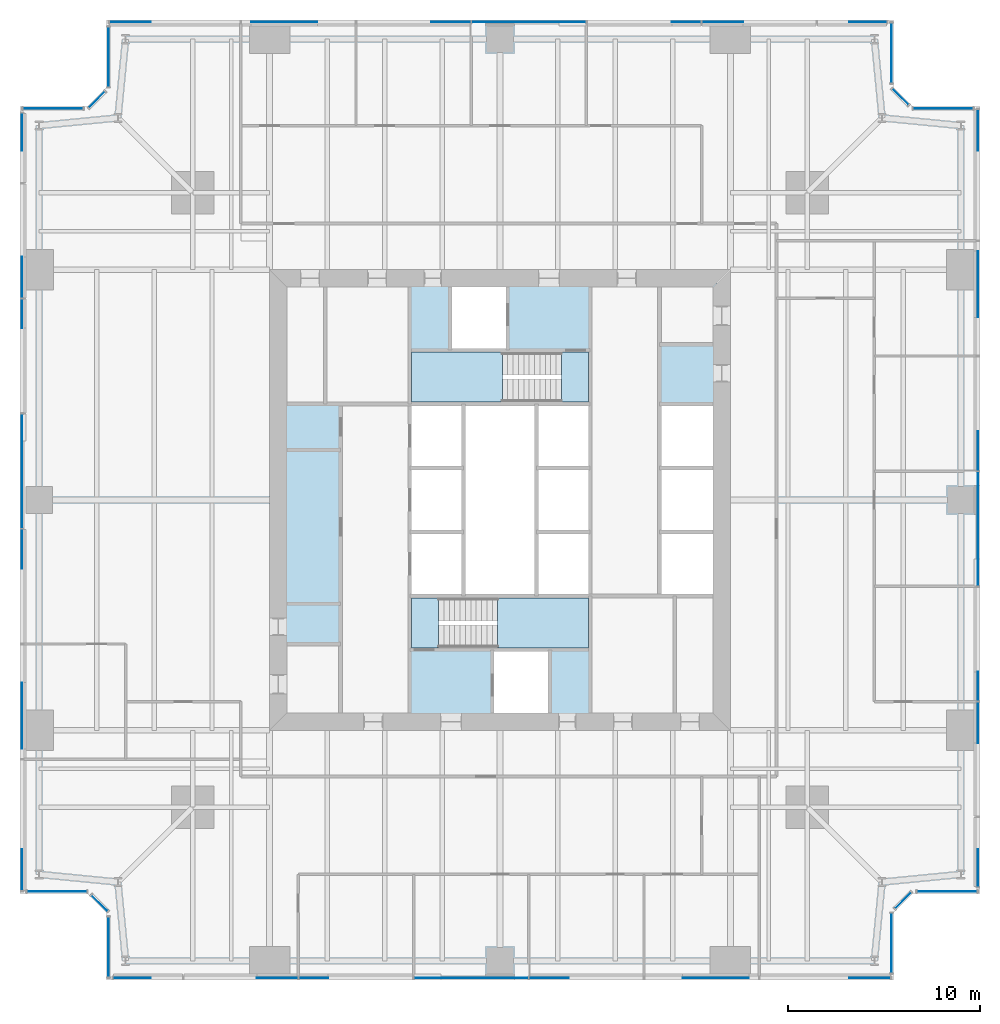
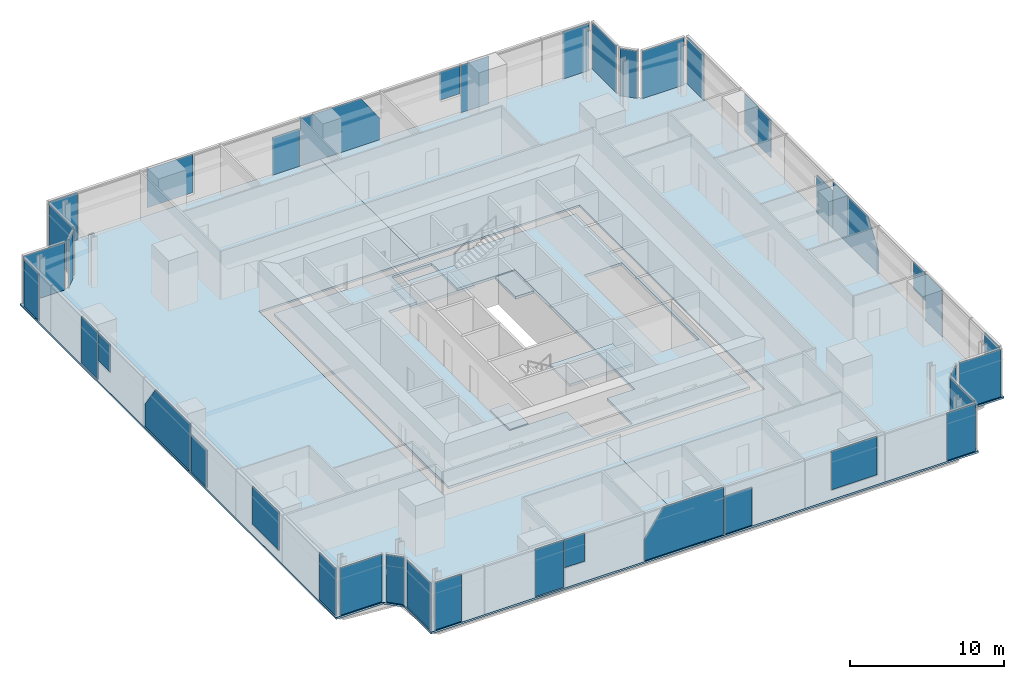
# One storey, part 8 of 13: 40 plates, 7 slabs, 18 elements without a shape of their own.
"""IFC4 building model written with IfcOpenShell, lengths in metres."""

from ifc_helpers import new_model, si_unit, direction, frame, origin, origin_2d, place, context, subcontext, project, spatial, polyline, rectangle, outline, extrude, material, layer, layer_set, type_object, element, aggregate, save


model = new_model("IFC4")

# Units and contexts
model_context = context("Model", 3, precision=1e-05, world=origin(), true_north=direction((0.0, 1.0)))
body_context = subcontext(model_context, "Body", "Model", "MODEL_VIEW")
ifc_project = project(units=[si_unit("LENGTHUNIT", "METRE"), si_unit("AREAUNIT", "SQUARE_METRE"), si_unit("VOLUMEUNIT", "CUBIC_METRE"), si_unit("PLANEANGLEUNIT", "RADIAN"), si_unit("MASSUNIT", "GRAM", prefix="KILO")], contexts=[model_context])

# Site, building, storey
site_placement = place(None, origin())
site = spatial("IfcSite", under=ifc_project, at=site_placement, CompositionType="ELEMENT")
building_placement = place(site_placement, origin())
building = spatial("IfcBuilding", under=site, at=building_placement, Name="Fenwick Lantern Interchange", CompositionType="ELEMENT")
storey_placement = place(building_placement, frame((0.0, 0.0, 102.39990234375)))
storey = spatial("IfcBuildingStorey", under=building, at=storey_placement, Name="L23", CompositionType="ELEMENT", Elevation=102.39990234375)

# Slabs
ifc_material_1 = material(Name="Concrete f'c 35 MPa", Category="concrete")
ifc_layer_1 = layer(ifc_material_1, 0.199951171875)
ifc_layer_set_1 = layer_set([ifc_layer_1], Name="CORE FLOOR SLAB 200")
slab_type_1 = type_object("IfcSlabType", Name="CORE FLOOR SLAB 200", PredefinedType="FLOOR", material=ifc_layer_set_1)
slab_1_placement = place(storey_placement, frame((0.0, 0.0, -0.199951171875)))
element("IfcSlab", 1, at=slab_1_placement, inside=storey, type_object=slab_type_1, Name="L23/SLAB/CORE", PredefinedType="FLOOR", context=body_context, shape_type="SweptSolid", body=[
    extrude(outline(polyline([(13.699951171875, 36.300048828125), (36.300048828125, 36.300048828125), (36.300048828125, 13.699951171875), (13.699951171875, 13.699951171875), (13.699951171875, 36.300048828125)]), holes=[polyline([(29.699951171875, 17.199951171875), (29.699951171875, 20.0), (29.699951171875, 23.333251953125), (29.699951171875, 26.666748046875), (29.699951171875, 30.0), (29.699951171875, 32.800048828125), (25.39990234375, 32.800048828125), (25.39990234375, 36.10009765625), (22.39990234375, 36.10009765625), (22.39990234375, 32.800048828125), (20.300048828125, 32.800048828125), (20.300048828125, 30.0), (20.300048828125, 26.666748046875), (20.300048828125, 23.333251953125), (20.300048828125, 20.0), (20.300048828125, 17.199951171875), (24.60009765625, 17.199951171875), (24.60009765625, 13.89990234375), (27.60009765625, 13.89990234375), (27.60009765625, 17.199951171875), (29.699951171875, 17.199951171875)]), polyline([(33.300048828125, 23.333251953125), (33.300048828125, 20.0), (36.10009765625, 20.0), (36.10009765625, 23.333251953125), (36.10009765625, 26.666748046875), (36.10009765625, 30.0), (33.300048828125, 30.0), (33.300048828125, 26.666748046875), (33.300048828125, 23.333251953125)])]), origin(), (0.0, 0.0, 1.0), 0.199951171875),
])
ifc_material_2 = material(Name="Concrete f'c 35 MPa", Category="concrete")
ifc_layer_2 = layer(ifc_material_2, 0.14990234375)
ifc_layer_set_2 = layer_set([ifc_layer_2], Name="Concrete f'c 35 MPa")
slab_type_2 = type_object("IfcSlabType", Name="FLOOR SLAB 150", PredefinedType="FLOOR", material=ifc_layer_set_2)
slab_2_placement = place(storey_placement, frame((0.0, 0.0, -0.14990234375)))
element("IfcSlab", 2, at=slab_2_placement, inside=storey, type_object=slab_type_2, Name="L23/SLAB/FW", PredefinedType="FLOOR", context=body_context, shape_type="SweptSolid", body=[
    extrude(outline(polyline([(4.5, 0.0), (4.5, 3.5), (3.5, 4.5), (0.0, 4.5), (0.0, 45.5), (3.5, 45.5), (4.5, 46.5), (4.5, 50.0), (25.0, 50.0), (25.0, 37.0), (13.0, 37.0), (13.0, 13.0), (25.0, 13.0), (25.0, 0.0), (4.5, 0.0)])), origin(), (0.0, 0.0, 1.0), 0.14990234375),
])
slab_3_placement = place(storey_placement, frame((0.0, 0.0, -0.14990234375)))
element("IfcSlab", 3, at=slab_3_placement, inside=storey, type_object=slab_type_2, Name="L23/SLAB/FE", PredefinedType="FLOOR", context=body_context, shape_type="SweptSolid", body=[
    extrude(outline(polyline([(45.5, 50.0), (45.5, 46.5), (46.5, 45.5), (50.0, 45.5), (50.0, 4.5), (46.5, 4.5), (45.5, 3.5), (45.5, 0.0), (25.0, 0.0), (25.0, 13.0), (37.0, 13.0), (37.0, 37.0), (25.0, 37.0), (25.0, 50.0), (45.5, 50.0)])), origin(), (0.0, 0.0, 1.0), 0.14990234375),
])

# Curtain wall, plates
ifc_material_3 = material(Name="Aluminium curtain wall frame", Category="aluminium")
curtain_wall_type = type_object("IfcCurtainWallType", Name="OFFICE CURTAIN WALL", PredefinedType="USERDEFINED", material=ifc_material_3)
curtain_wall_1_placement = place(storey_placement, origin())
curtain_wall_1 = element("IfcCurtainWall", 4, at=curtain_wall_1_placement, inside=storey, type_object=curtain_wall_type, Name="Office curtain wall 01", ObjectType="OFFICE CURTAIN WALL", PredefinedType="USERDEFINED")
ifc_material_4 = material(Name="Vision glass, clear low-iron double glazed", Category="glass")
ifc_layer_3 = layer(ifc_material_4, 0.031982421875)
ifc_layer_set_3 = layer_set([ifc_layer_3], Name="OFFICE CURTAIN WALL PANEL 32")
plate_type = type_object("IfcPlateType", Name="OFFICE CURTAIN WALL PANEL 32", PredefinedType="CURTAIN_PANEL", material=ifc_layer_set_3)
plate_1_placement = place(storey_placement, frame((4.60009765625, 0.10009765625, 0.0), z_axis=(0.0, 0.0, 1.0), x_axis=(1.0, 0.0, 0.0)))
plate_1 = element("IfcPlate", 5, at=plate_1_placement, type_object=plate_type, Name="L23/CW/01/P00a", PredefinedType="CURTAIN_PANEL", context=body_context, shape_type="SweptSolid", body=[
    extrude(outline(polyline([(0.264892578125, 0.0), (2.219970703125, 0.0), (2.219970703125, 3.748291015625), (0.264892578125, 3.748291015625), (0.264892578125, 0.0)])), frame((0.0, 0.01611328125, 0.0), z_axis=(0.0, -1.0, 0.0), x_axis=(1.0, 0.0, 0.0)), (0.0, 0.0, 1.0), 0.031982421875),
])
plate_2_placement = place(storey_placement, frame((4.60009765625, 0.10009765625, 0.007080078125), z_axis=(0.0, 0.0, 1.0), x_axis=(1.0, 0.0, 0.0)))
plate_2 = element("IfcPlate", 6, at=plate_2_placement, type_object=plate_type, Name="L23/CW/01/P01a", PredefinedType="CURTAIN_PANEL", context=body_context, shape_type="SweptSolid", body=[
    extrude(outline(polyline([(7.7412109375, 0.0), (9.867431640625, 0.0), (9.867431640625, 3.742919921875), (7.7412109375, 3.742919921875), (7.7412109375, 0.0)])), frame((0.0, 0.01611328125, 0.0), z_axis=(0.0, -1.0, 0.0), x_axis=(1.0, 0.0, 0.0)), (0.0, 0.0, 1.0), 0.031982421875),
])
plate_3_placement = place(storey_placement, frame((4.60009765625, 0.10009765625, 1.5341796875), z_axis=(0.0, 0.0, 1.0), x_axis=(1.0, 0.0, 0.0)))
plate_3 = element("IfcPlate", 7, at=plate_3_placement, type_object=plate_type, Name="L23/CW/01/P02a", PredefinedType="CURTAIN_PANEL", context=body_context, shape_type="SweptSolid", body=[
    extrude(outline(polyline([(9.9326171875, 0.0), (11.452392578125, 0.0), (11.452392578125, 2.2158203125), (9.9326171875, 2.2158203125), (9.9326171875, 0.0)])), frame((0.0, 0.01611328125, 0.0), z_axis=(0.0, -1.0, 0.0), x_axis=(1.0, 0.0, 0.0)), (0.0, 0.0, 1.0), 0.031982421875),
])
plate_4_placement = place(storey_placement, frame((4.60009765625, 0.10009765625, 0.0), z_axis=(0.0, 0.0, 1.0), x_axis=(1.0, 0.0, 0.0)))
plate_4 = element("IfcPlate", 8, at=plate_4_placement, type_object=plate_type, Name="L23/CW/01/P03a", PredefinedType="CURTAIN_PANEL", context=body_context, shape_type="SweptSolid", body=[
    extrude(outline(polyline([(15.9326171875, 0.0), (21.867431640625, 0.0), (21.867431640625, 3.75), (17.338623046875, 3.75), (15.9326171875, 1.70068359375), (15.9326171875, 0.0)])), frame((0.0, 0.01611328125, 0.0), z_axis=(0.0, -1.0, 0.0), x_axis=(1.0, 0.0, 0.0)), (0.0, 0.0, 1.0), 0.031982421875),
])
plate_5_placement = place(storey_placement, frame((4.60009765625, 0.10009765625, 0.0), z_axis=(0.0, 0.0, 1.0), x_axis=(1.0, 0.0, 0.0)))
plate_5 = element("IfcPlate", 9, at=plate_5_placement, type_object=plate_type, Name="L23/CW/01/P04a", PredefinedType="CURTAIN_PANEL", context=body_context, shape_type="SweptSolid", body=[
    extrude(outline(polyline([(21.9326171875, 0.0), (23.982421875, 0.0), (23.982421875, 2.990478515625), (21.9326171875, 2.990478515625), (21.9326171875, 0.0)])), frame((0.0, 0.01611328125, 0.0), z_axis=(0.0, -1.0, 0.0), x_axis=(1.0, 0.0, 0.0)), (0.0, 0.0, 1.0), 0.031982421875),
])
plate_6_placement = place(storey_placement, frame((4.60009765625, 0.10009765625, 0.70361328125), z_axis=(0.0, 0.0, 1.0), x_axis=(1.0, 0.0, 0.0)))
plate_6 = element("IfcPlate", 10, at=plate_6_placement, type_object=plate_type, Name="L23/CW/01/P05a", PredefinedType="CURTAIN_PANEL", context=body_context, shape_type="SweptSolid", body=[
    extrude(outline(polyline([(29.91748046875, 0.0), (33.357421875, 0.0), (33.357421875, 3.04638671875), (29.91748046875, 3.04638671875), (29.91748046875, 0.0)])), frame((0.0, 0.01611328125, 0.0), z_axis=(0.0, -1.0, 0.0), x_axis=(1.0, 0.0, 0.0)), (0.0, 0.0, 1.0), 0.031982421875),
])
plate_7_placement = place(storey_placement, frame((4.60009765625, 0.10009765625, 0.0), z_axis=(0.0, 0.0, 1.0), x_axis=(1.0, 0.0, 0.0)))
plate_7 = element("IfcPlate", 11, at=plate_7_placement, type_object=plate_type, Name="L23/CW/01/P06a", PredefinedType="CURTAIN_PANEL", context=body_context, shape_type="SweptSolid", body=[
    extrude(outline(polyline([(38.577880859375, 0.0), (40.735107421875, 0.0), (40.735107421875, 3.7431640625), (38.577880859375, 3.7431640625), (38.577880859375, 0.0)])), frame((0.0, 0.01611328125, 0.0), z_axis=(0.0, -1.0, 0.0), x_axis=(1.0, 0.0, 0.0)), (0.0, 0.0, 1.0), 0.031982421875),
])
aggregate(curtain_wall_1, [plate_1, plate_2, plate_3, plate_4, plate_5, plate_6, plate_7])

# Curtain wall, plate
curtain_wall_2_placement = place(storey_placement, origin())
curtain_wall_2 = element("IfcCurtainWall", 12, at=curtain_wall_2_placement, inside=storey, type_object=curtain_wall_type, Name="Office curtain wall 02", ObjectType="OFFICE CURTAIN WALL", PredefinedType="USERDEFINED")
plate_8_placement = place(storey_placement, frame((45.39990234375, 1.920654296875, 0.0), z_axis=(0.0, 0.0, 1.0), x_axis=(0.0, 1.0, 0.0)))
plate_8 = element("IfcPlate", 13, at=plate_8_placement, type_object=plate_type, Name="L23/CW/02/P00", PredefinedType="CURTAIN_PANEL", context=body_context, shape_type="SweptSolid", body=[
    extrude(rectangle(XDim=3.111328125, YDim=0.031982421875, at=origin_2d()), origin(), (0.0, 0.0, 1.0), 3.75),
])
aggregate(curtain_wall_2, [plate_8])

curtain_wall_3_placement = place(storey_placement, origin())
curtain_wall_3 = element("IfcCurtainWall", 14, at=curtain_wall_3_placement, inside=storey, type_object=curtain_wall_type, Name="Office curtain wall 03", ObjectType="OFFICE CURTAIN WALL", PredefinedType="USERDEFINED")
plate_9_placement = place(storey_placement, frame((46.0, 4.141357421875, 0.0), z_axis=(0.0, 0.0, 1.0), x_axis=(0.707106781187, 0.707106781187, 0.0)))
plate_9 = element("IfcPlate", 15, at=plate_9_placement, type_object=plate_type, Name="L23/CW/03/P00", PredefinedType="CURTAIN_PANEL", context=body_context, shape_type="SweptSolid", body=[
    extrude(rectangle(XDim=1.1669921875, YDim=0.031982421875, at=origin_2d()), origin(), (0.0, 0.0, 1.0), 3.75),
])
aggregate(curtain_wall_3, [plate_9])

curtain_wall_4_placement = place(storey_placement, origin())
curtain_wall_4 = element("IfcCurtainWall", 16, at=curtain_wall_4_placement, inside=storey, type_object=curtain_wall_type, Name="Office curtain wall 04", ObjectType="OFFICE CURTAIN WALL", PredefinedType="USERDEFINED")
plate_10_placement = place(storey_placement, frame((48.279296875, 4.60009765625, 0.0), z_axis=(0.0, 0.0, 1.0), x_axis=(1.0, 0.0, 0.0)))
plate_10 = element("IfcPlate", 17, at=plate_10_placement, type_object=plate_type, Name="L23/CW/04/P00", PredefinedType="CURTAIN_PANEL", context=body_context, shape_type="SweptSolid", body=[
    extrude(rectangle(XDim=3.111328125, YDim=0.031982421875, at=origin_2d()), origin(), (0.0, 0.0, 1.0), 3.75),
])
aggregate(curtain_wall_4, [plate_10])

# Curtain wall, plates
curtain_wall_5_placement = place(storey_placement, origin())
curtain_wall_5 = element("IfcCurtainWall", 18, at=curtain_wall_5_placement, inside=storey, type_object=curtain_wall_type, Name="Office curtain wall 05", ObjectType="OFFICE CURTAIN WALL", PredefinedType="USERDEFINED")
plate_11_placement = place(storey_placement, frame((49.89990234375, 4.60009765625, 0.0), z_axis=(0.0, 0.0, 1.0), x_axis=(0.0, 1.0, 0.0)))
plate_11 = element("IfcPlate", 19, at=plate_11_placement, type_object=plate_type, Name="L23/CW/05/P00a", PredefinedType="CURTAIN_PANEL", context=body_context, shape_type="SweptSolid", body=[
    extrude(outline(polyline([(0.264892578125, 0.0), (2.219970703125, 0.0), (2.219970703125, 3.748291015625), (0.264892578125, 3.748291015625), (0.264892578125, 0.0)])), frame((0.0, 0.01611328125, 0.0), z_axis=(0.0, -1.0, 0.0), x_axis=(1.0, 0.0, 0.0)), (0.0, 0.0, 1.0), 0.031982421875),
])
plate_12_placement = place(storey_placement, frame((49.89990234375, 4.60009765625, 0.007080078125), z_axis=(0.0, 0.0, 1.0), x_axis=(0.0, 1.0, 0.0)))
plate_12 = element("IfcPlate", 20, at=plate_12_placement, type_object=plate_type, Name="L23/CW/05/P01a", PredefinedType="CURTAIN_PANEL", context=body_context, shape_type="SweptSolid", body=[
    extrude(outline(polyline([(7.7412109375, 0.0), (9.867431640625, 0.0), (9.867431640625, 3.742919921875), (7.7412109375, 3.742919921875), (7.7412109375, 0.0)])), frame((0.0, 0.01611328125, 0.0), z_axis=(0.0, -1.0, 0.0), x_axis=(1.0, 0.0, 0.0)), (0.0, 0.0, 1.0), 0.031982421875),
])
plate_13_placement = place(storey_placement, frame((49.89990234375, 4.60009765625, 1.5341796875), z_axis=(0.0, 0.0, 1.0), x_axis=(0.0, 1.0, 0.0)))
plate_13 = element("IfcPlate", 21, at=plate_13_placement, type_object=plate_type, Name="L23/CW/05/P02a", PredefinedType="CURTAIN_PANEL", context=body_context, shape_type="SweptSolid", body=[
    extrude(outline(polyline([(9.9326171875, 0.0), (11.452392578125, 0.0), (11.452392578125, 2.2158203125), (9.9326171875, 2.2158203125), (9.9326171875, 0.0)])), frame((0.0, 0.01611328125, 0.0), z_axis=(0.0, -1.0, 0.0), x_axis=(1.0, 0.0, 0.0)), (0.0, 0.0, 1.0), 0.031982421875),
])
plate_14_placement = place(storey_placement, frame((49.89990234375, 4.60009765625, 0.0), z_axis=(0.0, 0.0, 1.0), x_axis=(0.0, 1.0, 0.0)))
plate_14 = element("IfcPlate", 22, at=plate_14_placement, type_object=plate_type, Name="L23/CW/05/P03a", PredefinedType="CURTAIN_PANEL", context=body_context, shape_type="SweptSolid", body=[
    extrude(outline(polyline([(15.9326171875, 0.0), (21.867431640625, 0.0), (21.867431640625, 3.75), (17.338623046875, 3.75), (15.9326171875, 1.70068359375), (15.9326171875, 0.0)])), frame((0.0, 0.01611328125, 0.0), z_axis=(0.0, -1.0, 0.0), x_axis=(1.0, 0.0, 0.0)), (0.0, 0.0, 1.0), 0.031982421875),
])
plate_15_placement = place(storey_placement, frame((49.89990234375, 4.60009765625, 0.0), z_axis=(0.0, 0.0, 1.0), x_axis=(0.0, 1.0, 0.0)))
plate_15 = element("IfcPlate", 23, at=plate_15_placement, type_object=plate_type, Name="L23/CW/05/P04a", PredefinedType="CURTAIN_PANEL", context=body_context, shape_type="SweptSolid", body=[
    extrude(outline(polyline([(21.9326171875, 0.0), (23.982421875, 0.0), (23.982421875, 2.990478515625), (21.9326171875, 2.990478515625), (21.9326171875, 0.0)])), frame((0.0, 0.01611328125, 0.0), z_axis=(0.0, -1.0, 0.0), x_axis=(1.0, 0.0, 0.0)), (0.0, 0.0, 1.0), 0.031982421875),
])
plate_16_placement = place(storey_placement, frame((49.89990234375, 4.60009765625, 0.70361328125), z_axis=(0.0, 0.0, 1.0), x_axis=(0.0, 1.0, 0.0)))
plate_16 = element("IfcPlate", 24, at=plate_16_placement, type_object=plate_type, Name="L23/CW/05/P05a", PredefinedType="CURTAIN_PANEL", context=body_context, shape_type="SweptSolid", body=[
    extrude(outline(polyline([(29.91748046875, 0.0), (33.357421875, 0.0), (33.357421875, 3.04638671875), (29.91748046875, 3.04638671875), (29.91748046875, 0.0)])), frame((0.0, 0.01611328125, 0.0), z_axis=(0.0, -1.0, 0.0), x_axis=(1.0, 0.0, 0.0)), (0.0, 0.0, 1.0), 0.031982421875),
])
plate_17_placement = place(storey_placement, frame((49.89990234375, 4.60009765625, 0.0), z_axis=(0.0, 0.0, 1.0), x_axis=(0.0, 1.0, 0.0)))
plate_17 = element("IfcPlate", 25, at=plate_17_placement, type_object=plate_type, Name="L23/CW/05/P06a", PredefinedType="CURTAIN_PANEL", context=body_context, shape_type="SweptSolid", body=[
    extrude(outline(polyline([(38.577880859375, 0.0), (40.735107421875, 0.0), (40.735107421875, 3.7431640625), (38.577880859375, 3.7431640625), (38.577880859375, 0.0)])), frame((0.0, 0.01611328125, 0.0), z_axis=(0.0, -1.0, 0.0), x_axis=(1.0, 0.0, 0.0)), (0.0, 0.0, 1.0), 0.031982421875),
])
aggregate(curtain_wall_5, [plate_11, plate_12, plate_13, plate_14, plate_15, plate_16, plate_17])

# Curtain wall, plate
curtain_wall_6_placement = place(storey_placement, origin())
curtain_wall_6 = element("IfcCurtainWall", 26, at=curtain_wall_6_placement, inside=storey, type_object=curtain_wall_type, Name="Office curtain wall 06", ObjectType="OFFICE CURTAIN WALL", PredefinedType="USERDEFINED")
plate_18_placement = place(storey_placement, frame((48.079345703125, 45.39990234375, 0.0), z_axis=(0.0, 0.0, 1.0), x_axis=(-1.0, 0.0, 0.0)))
plate_18 = element("IfcPlate", 27, at=plate_18_placement, type_object=plate_type, Name="L23/CW/06/P00", PredefinedType="CURTAIN_PANEL", context=body_context, shape_type="SweptSolid", body=[
    extrude(rectangle(XDim=3.111328125, YDim=0.031982421875, at=origin_2d()), origin(), (0.0, 0.0, 1.0), 3.75),
])
aggregate(curtain_wall_6, [plate_18])

curtain_wall_7_placement = place(storey_placement, origin())
curtain_wall_7 = element("IfcCurtainWall", 28, at=curtain_wall_7_placement, inside=storey, type_object=curtain_wall_type, Name="Office curtain wall 07", ObjectType="OFFICE CURTAIN WALL", PredefinedType="USERDEFINED")
plate_19_placement = place(storey_placement, frame((45.858642578125, 46.0, 0.0), z_axis=(0.0, 0.0, 1.0), x_axis=(-0.707106781187, 0.707106781187, 0.0)))
plate_19 = element("IfcPlate", 29, at=plate_19_placement, type_object=plate_type, Name="L23/CW/07/P00", PredefinedType="CURTAIN_PANEL", context=body_context, shape_type="SweptSolid", body=[
    extrude(rectangle(XDim=1.1669921875, YDim=0.031982421875, at=origin_2d()), origin(), (0.0, 0.0, 1.0), 3.75),
])
aggregate(curtain_wall_7, [plate_19])

curtain_wall_8_placement = place(storey_placement, origin())
curtain_wall_8 = element("IfcCurtainWall", 30, at=curtain_wall_8_placement, inside=storey, type_object=curtain_wall_type, Name="Office curtain wall 08", ObjectType="OFFICE CURTAIN WALL", PredefinedType="USERDEFINED")
plate_20_placement = place(storey_placement, frame((45.39990234375, 48.279296875, 0.0), z_axis=(0.0, 0.0, 1.0), x_axis=(0.0, 1.0, 0.0)))
plate_20 = element("IfcPlate", 31, at=plate_20_placement, type_object=plate_type, Name="L23/CW/08/P00", PredefinedType="CURTAIN_PANEL", context=body_context, shape_type="SweptSolid", body=[
    extrude(rectangle(XDim=3.111328125, YDim=0.031982421875, at=origin_2d()), origin(), (0.0, 0.0, 1.0), 3.75),
])
aggregate(curtain_wall_8, [plate_20])

# Curtain wall, plates
curtain_wall_9_placement = place(storey_placement, origin())
curtain_wall_9 = element("IfcCurtainWall", 32, at=curtain_wall_9_placement, inside=storey, type_object=curtain_wall_type, Name="Office curtain wall 09", ObjectType="OFFICE CURTAIN WALL", PredefinedType="USERDEFINED")
plate_21_placement = place(storey_placement, frame((45.39990234375, 49.89990234375, 0.0), z_axis=(0.0, 0.0, 1.0), x_axis=(-1.0, 0.0, 0.0)))
plate_21 = element("IfcPlate", 33, at=plate_21_placement, type_object=plate_type, Name="L23/CW/09/P00a", PredefinedType="CURTAIN_PANEL", context=body_context, shape_type="SweptSolid", body=[
    extrude(outline(polyline([(0.264892578125, 0.0), (2.219970703125, 0.0), (2.219970703125, 3.748291015625), (0.264892578125, 3.748291015625), (0.264892578125, 0.0)])), frame((0.0, 0.01611328125, 0.0), z_axis=(0.0, -1.0, 0.0), x_axis=(1.0, 0.0, 0.0)), (0.0, 0.0, 1.0), 0.031982421875),
])
plate_22_placement = place(storey_placement, frame((45.39990234375, 49.89990234375, 0.007080078125), z_axis=(0.0, 0.0, 1.0), x_axis=(-1.0, 0.0, 0.0)))
plate_22 = element("IfcPlate", 34, at=plate_22_placement, type_object=plate_type, Name="L23/CW/09/P01a", PredefinedType="CURTAIN_PANEL", context=body_context, shape_type="SweptSolid", body=[
    extrude(outline(polyline([(7.7412109375, 0.0), (9.867431640625, 0.0), (9.867431640625, 3.742919921875), (7.7412109375, 3.742919921875), (7.7412109375, 0.0)])), frame((0.0, 0.01611328125, 0.0), z_axis=(0.0, -1.0, 0.0), x_axis=(1.0, 0.0, 0.0)), (0.0, 0.0, 1.0), 0.031982421875),
])
plate_23_placement = place(storey_placement, frame((45.39990234375, 49.89990234375, 1.5341796875), z_axis=(0.0, 0.0, 1.0), x_axis=(-1.0, 0.0, 0.0)))
plate_23 = element("IfcPlate", 35, at=plate_23_placement, type_object=plate_type, Name="L23/CW/09/P02a", PredefinedType="CURTAIN_PANEL", context=body_context, shape_type="SweptSolid", body=[
    extrude(outline(polyline([(9.9326171875, 0.0), (11.452392578125, 0.0), (11.452392578125, 2.2158203125), (9.9326171875, 2.2158203125), (9.9326171875, 0.0)])), frame((0.0, 0.01611328125, 0.0), z_axis=(0.0, -1.0, 0.0), x_axis=(1.0, 0.0, 0.0)), (0.0, 0.0, 1.0), 0.031982421875),
])
plate_24_placement = place(storey_placement, frame((45.39990234375, 49.89990234375, 0.0), z_axis=(0.0, 0.0, 1.0), x_axis=(-1.0, 0.0, 0.0)))
plate_24 = element("IfcPlate", 36, at=plate_24_placement, type_object=plate_type, Name="L23/CW/09/P03a", PredefinedType="CURTAIN_PANEL", context=body_context, shape_type="SweptSolid", body=[
    extrude(outline(polyline([(15.9326171875, 0.0), (21.867431640625, 0.0), (21.867431640625, 3.75), (17.338623046875, 3.75), (15.9326171875, 1.70068359375), (15.9326171875, 0.0)])), frame((0.0, 0.01611328125, 0.0), z_axis=(0.0, -1.0, 0.0), x_axis=(1.0, 0.0, 0.0)), (0.0, 0.0, 1.0), 0.031982421875),
])
plate_25_placement = place(storey_placement, frame((45.39990234375, 49.89990234375, 0.0), z_axis=(0.0, 0.0, 1.0), x_axis=(-1.0, 0.0, 0.0)))
plate_25 = element("IfcPlate", 37, at=plate_25_placement, type_object=plate_type, Name="L23/CW/09/P04a", PredefinedType="CURTAIN_PANEL", context=body_context, shape_type="SweptSolid", body=[
    extrude(outline(polyline([(21.9326171875, 0.0), (23.982421875, 0.0), (23.982421875, 2.990478515625), (21.9326171875, 2.990478515625), (21.9326171875, 0.0)])), frame((0.0, 0.01611328125, 0.0), z_axis=(0.0, -1.0, 0.0), x_axis=(1.0, 0.0, 0.0)), (0.0, 0.0, 1.0), 0.031982421875),
])
plate_26_placement = place(storey_placement, frame((45.39990234375, 49.89990234375, 0.70361328125), z_axis=(0.0, 0.0, 1.0), x_axis=(-1.0, 0.0, 0.0)))
plate_26 = element("IfcPlate", 38, at=plate_26_placement, type_object=plate_type, Name="L23/CW/09/P05a", PredefinedType="CURTAIN_PANEL", context=body_context, shape_type="SweptSolid", body=[
    extrude(outline(polyline([(29.91748046875, 0.0), (33.357421875, 0.0), (33.357421875, 3.04638671875), (29.91748046875, 3.04638671875), (29.91748046875, 0.0)])), frame((0.0, 0.01611328125, 0.0), z_axis=(0.0, -1.0, 0.0), x_axis=(1.0, 0.0, 0.0)), (0.0, 0.0, 1.0), 0.031982421875),
])
plate_27_placement = place(storey_placement, frame((45.39990234375, 49.89990234375, 0.0), z_axis=(0.0, 0.0, 1.0), x_axis=(-1.0, 0.0, 0.0)))
plate_27 = element("IfcPlate", 39, at=plate_27_placement, type_object=plate_type, Name="L23/CW/09/P06a", PredefinedType="CURTAIN_PANEL", context=body_context, shape_type="SweptSolid", body=[
    extrude(outline(polyline([(38.577880859375, 0.0), (40.735107421875, 0.0), (40.735107421875, 3.7431640625), (38.577880859375, 3.7431640625), (38.577880859375, 0.0)])), frame((0.0, 0.01611328125, 0.0), z_axis=(0.0, -1.0, 0.0), x_axis=(1.0, 0.0, 0.0)), (0.0, 0.0, 1.0), 0.031982421875),
])
aggregate(curtain_wall_9, [plate_21, plate_22, plate_23, plate_24, plate_25, plate_26, plate_27])

# Curtain wall, plate
curtain_wall_10_placement = place(storey_placement, origin())
curtain_wall_10 = element("IfcCurtainWall", 40, at=curtain_wall_10_placement, inside=storey, type_object=curtain_wall_type, Name="Office curtain wall 10", ObjectType="OFFICE CURTAIN WALL", PredefinedType="USERDEFINED")
plate_28_placement = place(storey_placement, frame((4.60009765625, 48.079345703125, 0.0), z_axis=(0.0, 0.0, 1.0), x_axis=(0.0, -1.0, 0.0)))
plate_28 = element("IfcPlate", 41, at=plate_28_placement, type_object=plate_type, Name="L23/CW/10/P00", PredefinedType="CURTAIN_PANEL", context=body_context, shape_type="SweptSolid", body=[
    extrude(rectangle(XDim=3.111328125, YDim=0.031982421875, at=origin_2d()), origin(), (0.0, 0.0, 1.0), 3.75),
])
aggregate(curtain_wall_10, [plate_28])

curtain_wall_11_placement = place(storey_placement, origin())
curtain_wall_11 = element("IfcCurtainWall", 42, at=curtain_wall_11_placement, inside=storey, type_object=curtain_wall_type, Name="Office curtain wall 11", ObjectType="OFFICE CURTAIN WALL", PredefinedType="USERDEFINED")
plate_29_placement = place(storey_placement, frame((4.0, 45.858642578125, 0.0), z_axis=(0.0, 0.0, 1.0), x_axis=(-0.707106781187, -0.707106781187, 0.0)))
plate_29 = element("IfcPlate", 43, at=plate_29_placement, type_object=plate_type, Name="L23/CW/11/P00", PredefinedType="CURTAIN_PANEL", context=body_context, shape_type="SweptSolid", body=[
    extrude(rectangle(XDim=1.1669921875, YDim=0.031982421875, at=origin_2d()), origin(), (0.0, 0.0, 1.0), 3.75),
])
aggregate(curtain_wall_11, [plate_29])

curtain_wall_12_placement = place(storey_placement, origin())
curtain_wall_12 = element("IfcCurtainWall", 44, at=curtain_wall_12_placement, inside=storey, type_object=curtain_wall_type, Name="Office curtain wall 12", ObjectType="OFFICE CURTAIN WALL", PredefinedType="USERDEFINED")
plate_30_placement = place(storey_placement, frame((1.720703125, 45.39990234375, 0.0), z_axis=(0.0, 0.0, 1.0), x_axis=(-1.0, 0.0, 0.0)))
plate_30 = element("IfcPlate", 45, at=plate_30_placement, type_object=plate_type, Name="L23/CW/12/P00", PredefinedType="CURTAIN_PANEL", context=body_context, shape_type="SweptSolid", body=[
    extrude(rectangle(XDim=3.111328125, YDim=0.031982421875, at=origin_2d()), origin(), (0.0, 0.0, 1.0), 3.75),
])
aggregate(curtain_wall_12, [plate_30])

# Curtain wall, plates
curtain_wall_13_placement = place(storey_placement, origin())
curtain_wall_13 = element("IfcCurtainWall", 46, at=curtain_wall_13_placement, inside=storey, type_object=curtain_wall_type, Name="Office curtain wall 13", ObjectType="OFFICE CURTAIN WALL", PredefinedType="USERDEFINED")
plate_31_placement = place(storey_placement, frame((0.10009765625, 45.39990234375, 0.0), z_axis=(0.0, 0.0, 1.0), x_axis=(0.0, -1.0, 0.0)))
plate_31 = element("IfcPlate", 47, at=plate_31_placement, type_object=plate_type, Name="L23/CW/13/P00a", PredefinedType="CURTAIN_PANEL", context=body_context, shape_type="SweptSolid", body=[
    extrude(outline(polyline([(0.264892578125, 0.0), (2.219970703125, 0.0), (2.219970703125, 3.748291015625), (0.264892578125, 3.748291015625), (0.264892578125, 0.0)])), frame((0.0, 0.01611328125, 0.0), z_axis=(0.0, -1.0, 0.0), x_axis=(1.0, 0.0, 0.0)), (0.0, 0.0, 1.0), 0.031982421875),
])
plate_32_placement = place(storey_placement, frame((0.10009765625, 45.39990234375, 0.007080078125), z_axis=(0.0, 0.0, 1.0), x_axis=(0.0, -1.0, 0.0)))
plate_32 = element("IfcPlate", 48, at=plate_32_placement, type_object=plate_type, Name="L23/CW/13/P01a", PredefinedType="CURTAIN_PANEL", context=body_context, shape_type="SweptSolid", body=[
    extrude(outline(polyline([(7.7412109375, 0.0), (9.867431640625, 0.0), (9.867431640625, 3.742919921875), (7.7412109375, 3.742919921875), (7.7412109375, 0.0)])), frame((0.0, 0.01611328125, 0.0), z_axis=(0.0, -1.0, 0.0), x_axis=(1.0, 0.0, 0.0)), (0.0, 0.0, 1.0), 0.031982421875),
])
plate_33_placement = place(storey_placement, frame((0.10009765625, 45.39990234375, 1.5341796875), z_axis=(0.0, 0.0, 1.0), x_axis=(0.0, -1.0, 0.0)))
plate_33 = element("IfcPlate", 49, at=plate_33_placement, type_object=plate_type, Name="L23/CW/13/P02a", PredefinedType="CURTAIN_PANEL", context=body_context, shape_type="SweptSolid", body=[
    extrude(outline(polyline([(9.9326171875, 0.0), (11.452392578125, 0.0), (11.452392578125, 2.2158203125), (9.9326171875, 2.2158203125), (9.9326171875, 0.0)])), frame((0.0, 0.01611328125, 0.0), z_axis=(0.0, -1.0, 0.0), x_axis=(1.0, 0.0, 0.0)), (0.0, 0.0, 1.0), 0.031982421875),
])
plate_34_placement = place(storey_placement, frame((0.10009765625, 45.39990234375, 0.0), z_axis=(0.0, 0.0, 1.0), x_axis=(0.0, -1.0, 0.0)))
plate_34 = element("IfcPlate", 50, at=plate_34_placement, type_object=plate_type, Name="L23/CW/13/P03a", PredefinedType="CURTAIN_PANEL", context=body_context, shape_type="SweptSolid", body=[
    extrude(outline(polyline([(15.9326171875, 0.0), (21.867431640625, 0.0), (21.867431640625, 3.75), (17.338623046875, 3.75), (15.9326171875, 1.70068359375), (15.9326171875, 0.0)])), frame((0.0, 0.01611328125, 0.0), z_axis=(0.0, -1.0, 0.0), x_axis=(1.0, 0.0, 0.0)), (0.0, 0.0, 1.0), 0.031982421875),
])
plate_35_placement = place(storey_placement, frame((0.10009765625, 45.39990234375, 0.0), z_axis=(0.0, 0.0, 1.0), x_axis=(0.0, -1.0, 0.0)))
plate_35 = element("IfcPlate", 51, at=plate_35_placement, type_object=plate_type, Name="L23/CW/13/P04a", PredefinedType="CURTAIN_PANEL", context=body_context, shape_type="SweptSolid", body=[
    extrude(outline(polyline([(21.9326171875, 0.0), (23.982421875, 0.0), (23.982421875, 2.990478515625), (21.9326171875, 2.990478515625), (21.9326171875, 0.0)])), frame((0.0, 0.01611328125, 0.0), z_axis=(0.0, -1.0, 0.0), x_axis=(1.0, 0.0, 0.0)), (0.0, 0.0, 1.0), 0.031982421875),
])
plate_36_placement = place(storey_placement, frame((0.10009765625, 45.39990234375, 0.70361328125), z_axis=(0.0, 0.0, 1.0), x_axis=(0.0, -1.0, 0.0)))
plate_36 = element("IfcPlate", 52, at=plate_36_placement, type_object=plate_type, Name="L23/CW/13/P05a", PredefinedType="CURTAIN_PANEL", context=body_context, shape_type="SweptSolid", body=[
    extrude(outline(polyline([(29.91748046875, 0.0), (33.357421875, 0.0), (33.357421875, 3.04638671875), (29.91748046875, 3.04638671875), (29.91748046875, 0.0)])), frame((0.0, 0.01611328125, 0.0), z_axis=(0.0, -1.0, 0.0), x_axis=(1.0, 0.0, 0.0)), (0.0, 0.0, 1.0), 0.031982421875),
])
plate_37_placement = place(storey_placement, frame((0.10009765625, 45.39990234375, 0.0), z_axis=(0.0, 0.0, 1.0), x_axis=(0.0, -1.0, 0.0)))
plate_37 = element("IfcPlate", 53, at=plate_37_placement, type_object=plate_type, Name="L23/CW/13/P06a", PredefinedType="CURTAIN_PANEL", context=body_context, shape_type="SweptSolid", body=[
    extrude(outline(polyline([(38.577880859375, 0.0), (40.735107421875, 0.0), (40.735107421875, 3.7431640625), (38.577880859375, 3.7431640625), (38.577880859375, 0.0)])), frame((0.0, 0.01611328125, 0.0), z_axis=(0.0, -1.0, 0.0), x_axis=(1.0, 0.0, 0.0)), (0.0, 0.0, 1.0), 0.031982421875),
])
aggregate(curtain_wall_13, [plate_31, plate_32, plate_33, plate_34, plate_35, plate_36, plate_37])

# Curtain wall, plate
curtain_wall_14_placement = place(storey_placement, origin())
curtain_wall_14 = element("IfcCurtainWall", 54, at=curtain_wall_14_placement, inside=storey, type_object=curtain_wall_type, Name="Office curtain wall 14", ObjectType="OFFICE CURTAIN WALL", PredefinedType="USERDEFINED")
plate_38_placement = place(storey_placement, frame((1.920654296875, 4.60009765625, 0.0), z_axis=(0.0, 0.0, 1.0), x_axis=(1.0, 0.0, 0.0)))
plate_38 = element("IfcPlate", 55, at=plate_38_placement, type_object=plate_type, Name="L23/CW/14/P00", PredefinedType="CURTAIN_PANEL", context=body_context, shape_type="SweptSolid", body=[
    extrude(rectangle(XDim=3.111328125, YDim=0.031982421875, at=origin_2d()), origin(), (0.0, 0.0, 1.0), 3.75),
])
aggregate(curtain_wall_14, [plate_38])

curtain_wall_15_placement = place(storey_placement, origin())
curtain_wall_15 = element("IfcCurtainWall", 56, at=curtain_wall_15_placement, inside=storey, type_object=curtain_wall_type, Name="Office curtain wall 15", ObjectType="OFFICE CURTAIN WALL", PredefinedType="USERDEFINED")
plate_39_placement = place(storey_placement, frame((4.141357421875, 4.0, 0.0), z_axis=(0.0, 0.0, 1.0), x_axis=(0.707106781187, -0.707106781187, 0.0)))
plate_39 = element("IfcPlate", 57, at=plate_39_placement, type_object=plate_type, Name="L23/CW/15/P00", PredefinedType="CURTAIN_PANEL", context=body_context, shape_type="SweptSolid", body=[
    extrude(rectangle(XDim=1.1669921875, YDim=0.031982421875, at=origin_2d()), origin(), (0.0, 0.0, 1.0), 3.75),
])
aggregate(curtain_wall_15, [plate_39])

curtain_wall_16_placement = place(storey_placement, origin())
curtain_wall_16 = element("IfcCurtainWall", 58, at=curtain_wall_16_placement, inside=storey, type_object=curtain_wall_type, Name="Office curtain wall 16", ObjectType="OFFICE CURTAIN WALL", PredefinedType="USERDEFINED")
plate_40_placement = place(storey_placement, frame((4.60009765625, 1.720703125, 0.0), z_axis=(0.0, 0.0, 1.0), x_axis=(0.0, -1.0, 0.0)))
plate_40 = element("IfcPlate", 59, at=plate_40_placement, type_object=plate_type, Name="L23/CW/16/P00", PredefinedType="CURTAIN_PANEL", context=body_context, shape_type="SweptSolid", body=[
    extrude(rectangle(XDim=3.111328125, YDim=0.031982421875, at=origin_2d()), origin(), (0.0, 0.0, 1.0), 3.75),
])
aggregate(curtain_wall_16, [plate_40])

# Stair, slabs
ifc_material_5 = material(Name="Precast concrete f'c 35 MPa", Category="concrete")
stair_type = type_object("IfcStairType", Name="EXIT STAIR 1200", PredefinedType="HALF_TURN_STAIR", material=ifc_material_5)
stair_1_placement = place(storey_placement, origin())
stair_1 = element("IfcStair", 60, at=stair_1_placement, inside=storey, type_object=stair_type, Name="Exit stair ST1", PredefinedType="HALF_TURN_STAIR")
ifc_layer_4 = layer(ifc_material_1, 0.199951171875)
ifc_layer_set_4 = layer_set([ifc_layer_4], Name="STAIR LANDING 200")
slab_type_3 = type_object("IfcSlabType", Name="STAIR LANDING 200", PredefinedType="LANDING", material=ifc_layer_set_4)
slab_4_placement = place(storey_placement, frame((0.0, 0.0, 1.800048828125)))
slab_4 = element("IfcSlab", 61, at=slab_4_placement, type_object=slab_type_3, Name="ST1 landing 1", PredefinedType="LANDING", context=body_context, shape_type="SweptSolid", body=[
    extrude(outline(polyline([(24.8798828125, 17.300048828125), (29.60009765625, 17.300048828125), (29.60009765625, 19.89990234375), (24.8798828125, 19.89990234375), (24.8798828125, 17.300048828125)])), origin(), (0.0, 0.0, 1.0), 0.199951171875),
])
slab_5_placement = place(storey_placement, frame((0.0, 0.0, -0.199951171875)))
slab_5 = element("IfcSlab", 62, at=slab_5_placement, type_object=slab_type_3, Name="ST1 landing 2", PredefinedType="LANDING", context=body_context, shape_type="SweptSolid", body=[
    extrude(outline(polyline([(20.39990234375, 17.300048828125), (21.800048828125, 17.300048828125), (21.800048828125, 19.89990234375), (20.39990234375, 19.89990234375), (20.39990234375, 17.300048828125)])), origin(), (0.0, 0.0, 1.0), 0.199951171875),
])
aggregate(stair_1, [slab_4, slab_5])

stair_2_placement = place(storey_placement, origin())
stair_2 = element("IfcStair", 63, at=stair_2_placement, inside=storey, type_object=stair_type, Name="Exit stair ST2", PredefinedType="HALF_TURN_STAIR")
slab_6_placement = place(storey_placement, frame((0.0, 0.0, 1.800048828125)))
slab_6 = element("IfcSlab", 64, at=slab_6_placement, type_object=slab_type_3, Name="ST2 landing 1", PredefinedType="LANDING", context=body_context, shape_type="SweptSolid", body=[
    extrude(outline(polyline([(25.1201171875, 32.699951171875), (20.39990234375, 32.699951171875), (20.39990234375, 30.10009765625), (25.1201171875, 30.10009765625), (25.1201171875, 32.699951171875)])), origin(), (0.0, 0.0, 1.0), 0.199951171875),
])
slab_7_placement = place(storey_placement, frame((0.0, 0.0, -0.199951171875)))
slab_7 = element("IfcSlab", 65, at=slab_7_placement, type_object=slab_type_3, Name="ST2 landing 2", PredefinedType="LANDING", context=body_context, shape_type="SweptSolid", body=[
    extrude(outline(polyline([(29.60009765625, 32.699951171875), (28.199951171875, 32.699951171875), (28.199951171875, 30.10009765625), (29.60009765625, 30.10009765625), (29.60009765625, 32.699951171875)])), origin(), (0.0, 0.0, 1.0), 0.199951171875),
])
aggregate(stair_2, [slab_6, slab_7])

save(model, "model.ifc")
